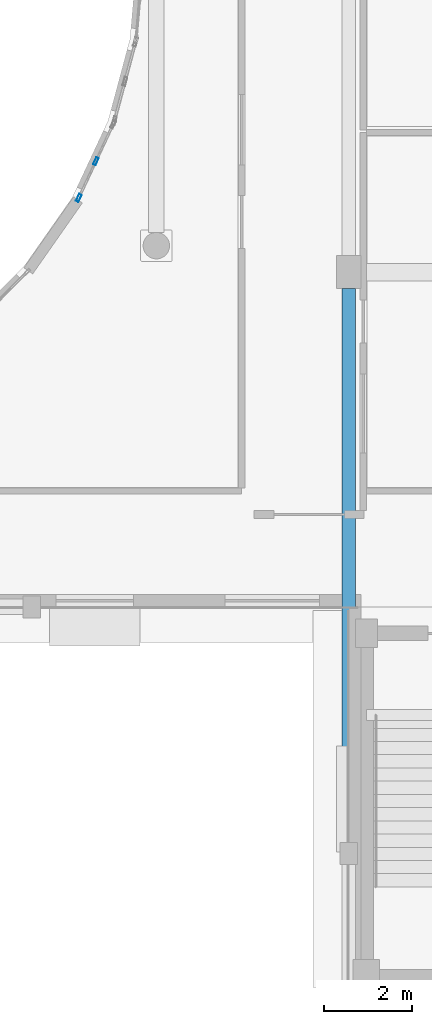
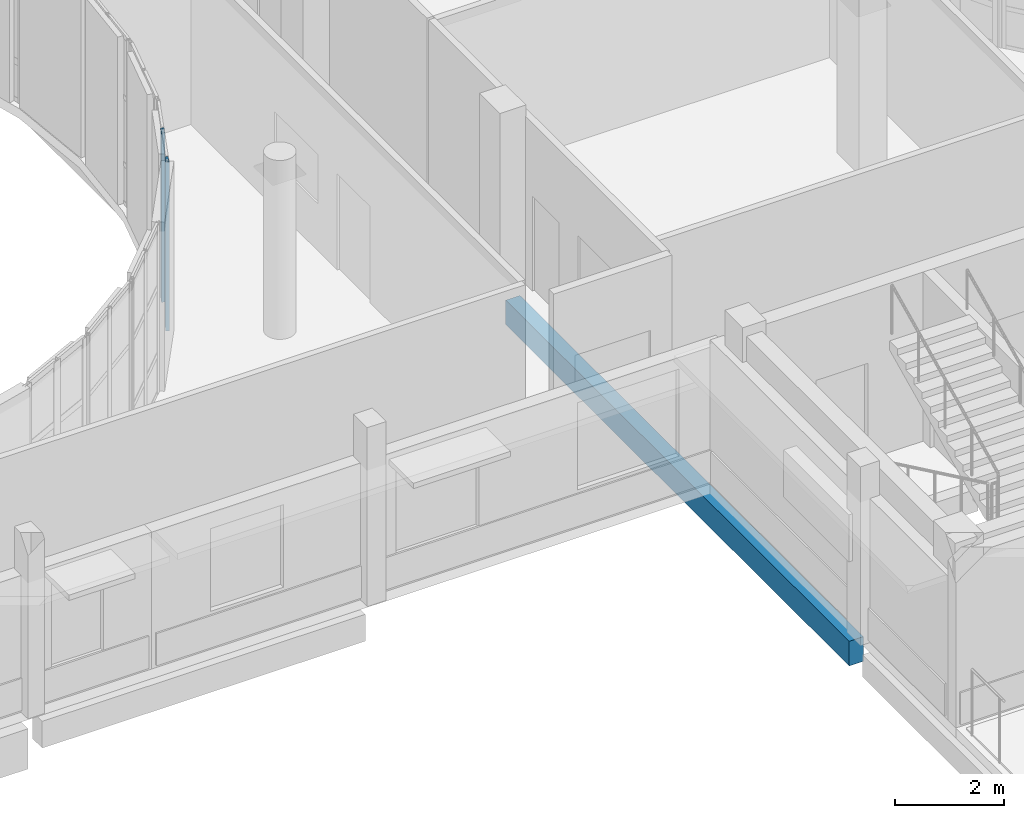
# One storey, part 23 of 89: 2 members, 1 beam, 1 element without a shape of its own.
"""IFC4 building model written with IfcOpenShell, lengths in metres."""

from ifc_helpers import new_model, si_unit, direction, frame, origin, origin_2d, place, context, subcontext, project, spatial, rectangle, hollow_rectangle, extrude, material, layer, layer_set, material_profile, profile_set, type_object, element, aggregate, save


model = new_model("IFC4")

# Units and contexts
model_context = context("Model", 3, precision=1e-05, world=origin(), true_north=direction((0.0, 1.0)))
body_context = subcontext(model_context, "Body", "Model", "MODEL_VIEW")
ifc_project = project(units=[si_unit("LENGTHUNIT", "METRE"), si_unit("AREAUNIT", "SQUARE_METRE"), si_unit("VOLUMEUNIT", "CUBIC_METRE"), si_unit("PLANEANGLEUNIT", "RADIAN"), si_unit("MASSUNIT", "GRAM", prefix="KILO")], contexts=[model_context])

# Site, building, storey
site_placement = place(None, origin())
site = spatial("IfcSite", under=ifc_project, at=site_placement, CompositionType="ELEMENT")
building_placement = place(site_placement, origin())
building = spatial("IfcBuilding", under=site, at=building_placement, Name="Kelanivale Promenade Academy", CompositionType="ELEMENT")
storey_placement = place(building_placement, frame((0.0, 0.0, 12.199951171875)))
storey = spatial("IfcBuildingStorey", under=building, at=storey_placement, Name="L03", CompositionType="ELEMENT", Elevation=12.199951171875)

# Curtain wall, members
ifc_material_1 = material(Name="Bronze anodised aluminium and solar-control low-E glass", Category="aluminium")
ifc_layer = layer(ifc_material_1, 0.179931640625)
ifc_layer_set = layer_set([ifc_layer], Name="Bronze anodised aluminium and solar-control low-E glass")
curtain_wall_type = type_object("IfcCurtainWallType", Name="CW-11 Curtain Wall 1950mm Module", PredefinedType="USERDEFINED", material=ifc_layer_set)
curtain_wall_placement = place(storey_placement, origin())
curtain_wall = element("IfcCurtainWall", 1, at=curtain_wall_placement, inside=storey, type_object=curtain_wall_type, Name="L03 courtyard curtain wall CW-11", ObjectType="UNITISED GLAZING", PredefinedType="USERDEFINED")
ifc_material_2 = material(Name="Bronze anodised aluminium EN AW-6063 T6", Category="aluminium")
ifc_material_profile_1 = material_profile(ifc_material_2, hollow_rectangle(XDim=0.06494140625, YDim=0.175048828125, WallThickness=0.00390625, at=origin_2d()), Name="ALU 65x175x4.0")
ifc_profile_set_1 = profile_set([ifc_material_profile_1], Name="Bronze anodised aluminium EN AW-6063 T6")
member_type = type_object("IfcMemberType", Name="CWM-03 ALU 65x175x4.0", PredefinedType="MULLION", material=ifc_profile_set_1)
member_1_placement = place(storey_placement, frame((73.07275390625, 51.284423828125, 0.0), z_axis=(0.0, 0.0, 1.0), x_axis=(-0.906089128146, 0.423086860887, 0.0)))
member_1 = element("IfcMember", 2, at=member_1_placement, type_object=member_type, Name="CW-11 mullion 1", PredefinedType="MULLION", context=body_context, shape_type="SweptSolid", body=[
    extrude(hollow_rectangle(XDim=0.06494140625, YDim=0.175048828125, WallThickness=0.00390625, at=origin_2d()), origin(), (0.0, 0.0, 1.0), 3.780029296875),
])
member_2_placement = place(storey_placement, frame((73.46142578125, 52.116943359375, 0.0), z_axis=(0.0, 0.0, 1.0), x_axis=(-0.906089128146, 0.423086860887, 0.0)))
member_2 = element("IfcMember", 3, at=member_2_placement, type_object=member_type, Name="CW-11 mullion 2", PredefinedType="MULLION", context=body_context, shape_type="SweptSolid", body=[
    extrude(hollow_rectangle(XDim=0.06494140625, YDim=0.175048828125, WallThickness=0.00390625, at=origin_2d()), origin(), (0.0, 0.0, 1.0), 3.780029296875),
])
aggregate(curtain_wall, [member_1, member_2])

# Beam
ifc_material_3 = material(Name="Concrete C35/45", Category="concrete")
ifc_material_profile_2 = material_profile(ifc_material_3, rectangle(XDim=0.300048828125, YDim=0.550048828125, at=origin_2d()), Name="RC-BM 300x550")
ifc_profile_set_2 = profile_set([ifc_material_profile_2], Name="Concrete C35/45")
beam_type = type_object("IfcBeamType", Name="JS-02 RC-BM 300x550", PredefinedType="JOIST", material=ifc_profile_set_2)
beam_placement = place(storey_placement, frame((79.199951171875, 36.64501953125, -0.494873046875), z_axis=(0.0, 1.0, 0.0), x_axis=(-1.0, 0.0, 0.0)))
element("IfcBeam", 4, at=beam_placement, inside=storey, type_object=beam_type, Name="L03 beam JS-02", PredefinedType="JOIST", context=body_context, shape_type="SweptSolid", body=[
    extrude(rectangle(XDim=0.300048828125, YDim=0.550048828125, at=origin_2d()), origin(), (0.0, 0.0, 1.0), 12.5849609375),
])

save(model, "model.ifc")
